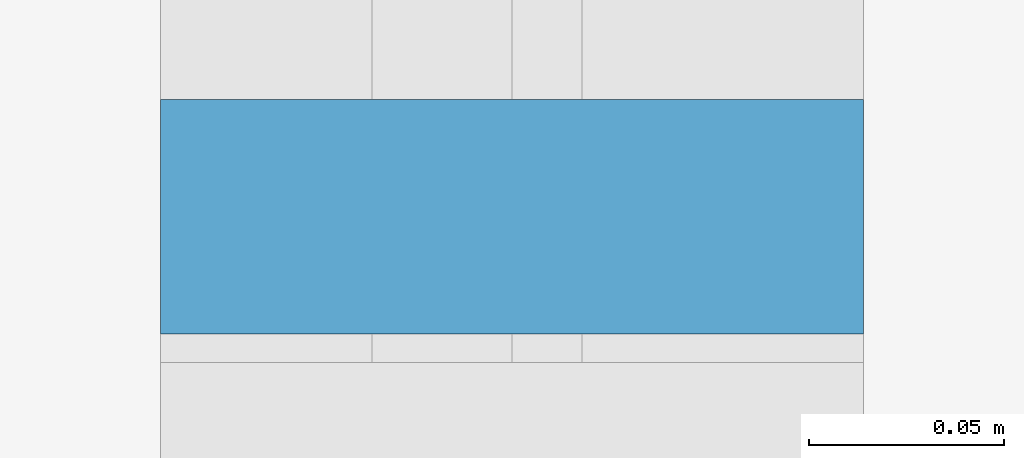
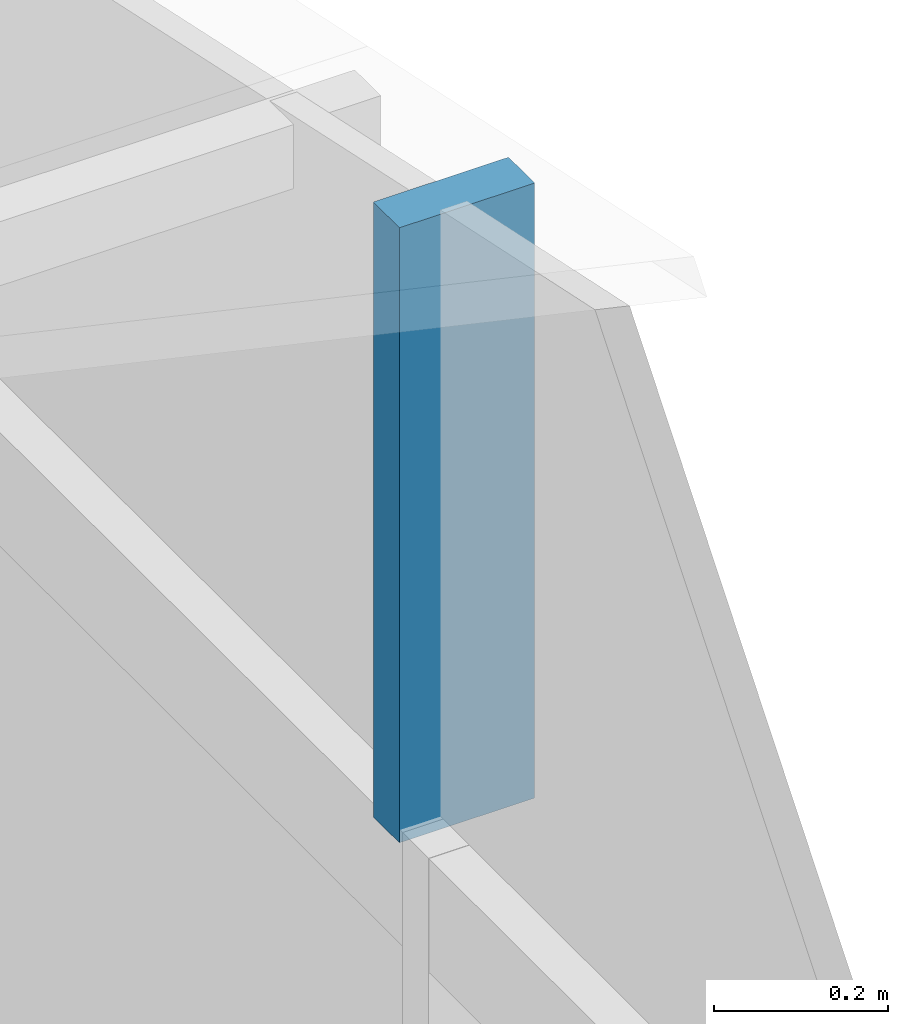
# One storey, part 9 of 17: 1 member, 1 element without a shape of its own.
"""IFC4 building model written with IfcOpenShell, lengths in metres."""

from ifc_helpers import new_model, si_unit, direction, frame, origin, origin_2d, place, context, subcontext, project, spatial, rectangle, extrude, material, material_profile, profile_set, type_object, element, aggregate, save


model = new_model("IFC4")

# Units and contexts
model_context = context("Model", 3, precision=1e-05, world=origin(), true_north=direction((0.0, 1.0)))
body_context = subcontext(model_context, "Body", "Model", "MODEL_VIEW")
ifc_project = project(units=[si_unit("LENGTHUNIT", "METRE"), si_unit("AREAUNIT", "SQUARE_METRE"), si_unit("VOLUMEUNIT", "CUBIC_METRE"), si_unit("PLANEANGLEUNIT", "RADIAN"), si_unit("MASSUNIT", "GRAM", prefix="KILO")], contexts=[model_context])

# Site, building, storey
site_placement = place(None, origin())
site = spatial("IfcSite", under=ifc_project, at=site_placement, CompositionType="ELEMENT")
building_placement = place(site_placement, origin())
building = spatial("IfcBuilding", under=site, at=building_placement, Name="Bicima Exchange Tower", CompositionType="ELEMENT")
storey_placement = place(building_placement, frame((0.0, 0.0, 356.89990234375)))
storey = spatial("IfcBuildingStorey", under=building, at=storey_placement, Name="L80", CompositionType="ELEMENT", Elevation=356.89990234375)

# Curtain wall, member
ifc_material = material(Name="Anodised bronze aluminium", Category="aluminium")
curtain_wall_type = type_object("IfcCurtainWallType", Name="Crown glass wall", PredefinedType="NOTDEFINED", material=ifc_material)
curtain_wall_placement = place(storey_placement, origin())
curtain_wall = element("IfcCurtainWall", 1, at=curtain_wall_placement, inside=storey, type_object=curtain_wall_type, Name="Gable glazing east 17", PredefinedType="NOTDEFINED")
ifc_material_profile = material_profile(ifc_material, rectangle(XDim=0.179931640625, YDim=0.06005859375, at=origin_2d()))
ifc_profile_set = profile_set([ifc_material_profile], Name="Anodised bronze aluminium")
member_type = type_object("IfcMemberType", Name="Crown glass wall mullion 60 x 180", PredefinedType="MULLION", material=ifc_profile_set)
member_placement = place(storey_placement, frame((35.77001953125, -8.564697265625, 5.63720703125), z_axis=(0.0, 0.0, 1.0), x_axis=(-1.0, 0.0, 0.0)))
member = element("IfcMember", 2, at=member_placement, type_object=member_type, Name="Gable glazing mullion 4", PredefinedType="MULLION", context=body_context, shape_type="SweptSolid", body=[
    extrude(rectangle(XDim=0.179931640625, YDim=0.06005859375, at=origin_2d()), origin(), (0.0, 0.0, 1.0), 0.864990234375),
])
aggregate(curtain_wall, [member])

save(model, "model.ifc")
